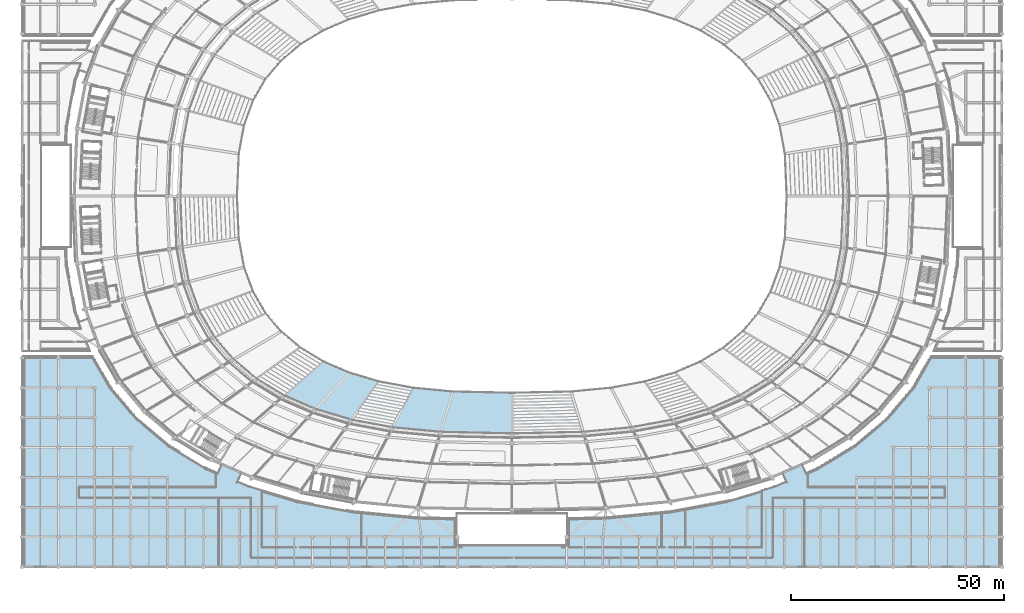
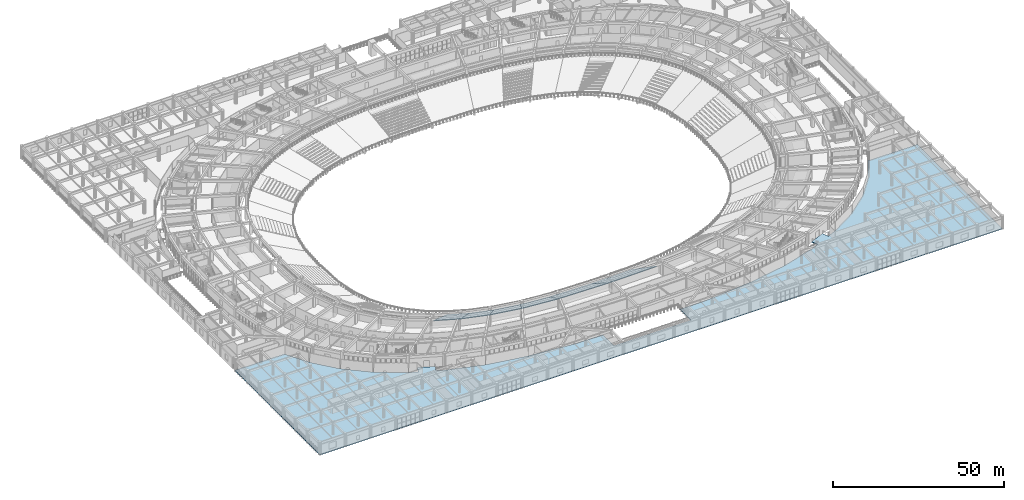
# One storey, part 80 of 152: 7 slabs.
"""IFC4 building model written with IfcOpenShell, lengths in metres."""

from ifc_helpers import new_model, si_unit, direction, frame, origin, place, context, subcontext, project, spatial, polyline, outline, extrude, material, layer, layer_set, type_object, element, save


model = new_model("IFC4")

# Units and contexts
model_context = context("Model", 3, precision=1e-05, world=origin(), true_north=direction((0.0, 1.0)))
body_context = subcontext(model_context, "Body", "Model", "MODEL_VIEW")
ifc_project = project(units=[si_unit("LENGTHUNIT", "METRE"), si_unit("AREAUNIT", "SQUARE_METRE"), si_unit("VOLUMEUNIT", "CUBIC_METRE"), si_unit("PLANEANGLEUNIT", "RADIAN"), si_unit("MASSUNIT", "GRAM", prefix="KILO")], contexts=[model_context])

# Site, building, storey
site_placement = place(None, origin())
site = spatial("IfcSite", under=ifc_project, at=site_placement, CompositionType="ELEMENT")
building_placement = place(site_placement, origin())
building = spatial("IfcBuilding", under=site, at=building_placement, Name="Mphavela Belvedere Stadium", CompositionType="ELEMENT")
storey_placement = place(building_placement, frame((0.0, 0.0, 5.39990234375)))
storey = spatial("IfcBuildingStorey", under=building, at=storey_placement, Name="L01", CompositionType="ELEMENT", Elevation=5.39990234375)

# Slabs
ifc_material_1 = material(Name="Concrete C40/50", Category="concrete")
ifc_layer_1 = layer(ifc_material_1, 0.260009765625)
ifc_layer_set_1 = layer_set([ifc_layer_1], Name="Concrete C40/50")
slab_type_1 = type_object("IfcSlabType", Name="SLB-PAVILION-260", PredefinedType="FLOOR", material=ifc_layer_set_1)
slab_1_placement = place(storey_placement, frame((0.0, 0.0, -0.260009765625)))
element("IfcSlab", 1, at=slab_1_placement, inside=storey, type_object=slab_type_1, Name="South Axial Triumphal Peristyle Portico floor slab L01-1", PredefinedType="FLOOR", context=body_context, shape_type="SweptSolid", body=[
    extrude(outline(polyline([(20.852783203125, 42.2373046875), (20.957763671875, 42.0732421875), (21.07666015625, 41.919189453125), (26.980712890625, 34.927001953125), (27.106201171875, 34.79052734375), (27.242919921875, 34.6650390625), (34.425537109375, 28.60400390625), (34.5595703125, 28.499755859375), (34.700927734375, 28.406005859375), (43.160400390625, 23.259521484375), (43.4287109375, 23.12060546875), (45.922607421875, 22.03955078125), (46.797607421875, 24.05810546875), (51.568603515625, 21.98974609375), (50.693603515625, 19.97119140625), (53.1875, 18.89013671875), (53.436279296875, 18.7998046875), (64.57275390625, 15.494140625), (64.7958984375, 15.440185546875), (77.5244140625, 13.06982421875), (77.718505859375, 13.04248046875), (92.676513671875, 11.6162109375), (92.837890625, 11.606689453125), (102.0, 11.409423828125), (102.0, 5.0), (128.0, 5.0), (128.0, 11.409423828125), (137.162109375, 11.606689453125), (137.323486328125, 11.6162109375), (152.281494140625, 13.04248046875), (152.4755859375, 13.06982421875), (165.2041015625, 15.440185546875), (165.42724609375, 15.494140625), (176.563720703125, 18.7998046875), (176.8125, 18.89013671875), (179.306396484375, 19.97119140625), (178.431396484375, 21.98974609375), (183.202392578125, 24.05810546875), (184.077392578125, 22.03955078125), (186.5712890625, 23.12060546875), (186.839599609375, 23.259521484375), (195.299072265625, 28.406005859375), (195.4404296875, 28.499755859375), (195.574462890625, 28.60400390625), (202.757080078125, 34.6650390625), (202.893798828125, 34.79052734375), (203.019287109375, 34.927001953125), (208.92333984375, 41.919189453125), (209.042236328125, 42.0732421875), (209.147216796875, 42.2373046875), (213.346435546875, 49.5), (230.0, 49.5), (230.0, 0.0), (0.0, 0.0), (0.0, 49.5), (16.653564453125, 49.5), (20.852783203125, 42.2373046875)])), origin(), (0.0, 0.0, 1.0), 0.260009765625),
])
ifc_material_2 = material(Name="Precast concrete C45/55", Category="concrete")
ifc_layer_2 = layer(ifc_material_2, 0.25)
ifc_layer_set_2 = layer_set([ifc_layer_2], Name="Precast concrete C45/55")
slab_type_2 = type_object("IfcSlabType", Name="SLB-TIER-LOWER", PredefinedType="USERDEFINED", material=ifc_layer_set_2)
slab_2_placement = place(storey_placement, frame((70.648193359375, 48.19091796875, -4.099853515625), z_axis=(0.190858804595, 0.440280540142, 0.877340277589), x_axis=(0.91750490385, -0.397724466678, -4.041924e-06)))
element("IfcSlab", 2, at=slab_2_placement, inside=storey, type_object=slab_type_2, Name="Lower seating tier slab L01-32", ObjectType="SEATING TIER", PredefinedType="USERDEFINED", context=body_context, shape_type="SweptSolid", body=[
    extrude(outline(polyline([(0.0, 0.0), (6.672514141049851, -4.440892098500626e-16), (2.843602057945681, -12.503442310151001), (-5.203602790782251, -12.503318326292447), (0.0, 0.0)])), origin(), (0.0, 0.0, -1.0), 0.25),
])
slab_3_placement = place(storey_placement, frame((76.770263671875, 45.537109375, -4.099853515625), z_axis=(0.141887406626, 0.478031379031, 0.866806763069), x_axis=(0.958662176806, -0.284546711036, 1.92175e-07)))
element("IfcSlab", 3, at=slab_3_placement, inside=storey, type_object=slab_type_2, Name="Lower seating tier slab L01-33", ObjectType="SEATING TIER", PredefinedType="USERDEFINED", context=body_context, shape_type="SweptSolid", body=[
    extrude(outline(polyline([(0.0, 0.0), (7.2878357610349545, 4.440892098500626e-16), (3.669552597855052, -12.03262632422255), (-5.119803900182248, -12.032632520277364), (0.0, 0.0)])), origin(), (0.0, 0.0, -1.0), 0.25),
])
slab_4_placement = place(storey_placement, frame((83.7568359375, 43.46337890625, -4.099853515625), z_axis=(0.094235956026, 0.505938886763, 0.857406220792), x_axis=(0.983092331305, -0.183110535279, 1.10416e-07)))
element("IfcSlab", 4, at=slab_4_placement, inside=storey, type_object=slab_type_2, Name="Lower seating tier slab L01-34", ObjectType="SEATING TIER", PredefinedType="USERDEFINED", context=body_context, shape_type="SweptSolid", body=[
    extrude(outline(polyline([(0.0, 0.0), (8.122439028539493, 0.0), (5.1104153923724285, -11.658628718852402), (-4.685334146446665, -11.658632563189693), (0.0, 0.0)])), origin(), (0.0, 0.0, -1.0), 0.25),
])
slab_5_placement = place(storey_placement, frame((91.741943359375, 41.97607421875, -4.099853515625), z_axis=(0.049974089428, 0.524125282997, 0.850173675262), x_axis=(0.995485126826, -0.094917660464, 3.32756e-07)))
element("IfcSlab", 5, at=slab_5_placement, inside=storey, type_object=slab_type_2, Name="Lower seating tier slab L01-35", ObjectType="SEATING TIER", PredefinedType="USERDEFINED", context=body_context, shape_type="SweptSolid", body=[
    extrude(outline(polyline([(0.0, 0.0), (9.426838508432935, -1.1102230246251565e-16), (7.47950777252167, -11.395955858493513), (-3.889447325995744, -11.395969001676475), (0.0, 0.0)])), origin(), (0.0, 0.0, -1.0), 0.25),
])
slab_6_placement = place(storey_placement, frame((101.126220703125, 41.081298828125, -4.099853515625), z_axis=(0.011481692617, 0.533094988204, 0.845977484504), x_axis=(0.99976812289, -0.021533705044, 5.67345e-07)))
element("IfcSlab", 6, at=slab_6_placement, inside=storey, type_object=slab_type_2, Name="Lower seating tier slab L01-36", ObjectType="SEATING TIER", PredefinedType="USERDEFINED", context=body_context, shape_type="SweptSolid", body=[
    extrude(outline(polyline([(0.0, 0.0), (13.876997161727815, -5.551115123125783e-17), (14.08203340191181, -11.252405291469632), (-2.6537801436887887, -11.252437863531949), (0.0, 0.0)])), origin(), (0.0, 0.0, -1.0), 0.25),
])
slab_7_placement = place(storey_placement, frame((115.0, 40.782470703125, -4.099853515625), z_axis=(-0.011481692617, 0.533094988204, 0.845977484504), x_axis=(0.99976812289, 0.021533705044, -5.67345e-07)))
element("IfcSlab", 7, at=slab_7_placement, inside=storey, type_object=slab_type_2, Name="Lower seating tier slab L01-37", ObjectType="SEATING TIER", PredefinedType="USERDEFINED", context=body_context, shape_type="SweptSolid", body=[
    extrude(outline(polyline([(0.0, 0.0), (13.876997161727815, 5.551115123125783e-17), (16.530777305416603, -11.252437863531949), (-0.20503624018399616, -11.252405291469632), (0.0, 0.0)])), origin(), (0.0, 0.0, -1.0), 0.25),
])

save(model, "model.ifc")
